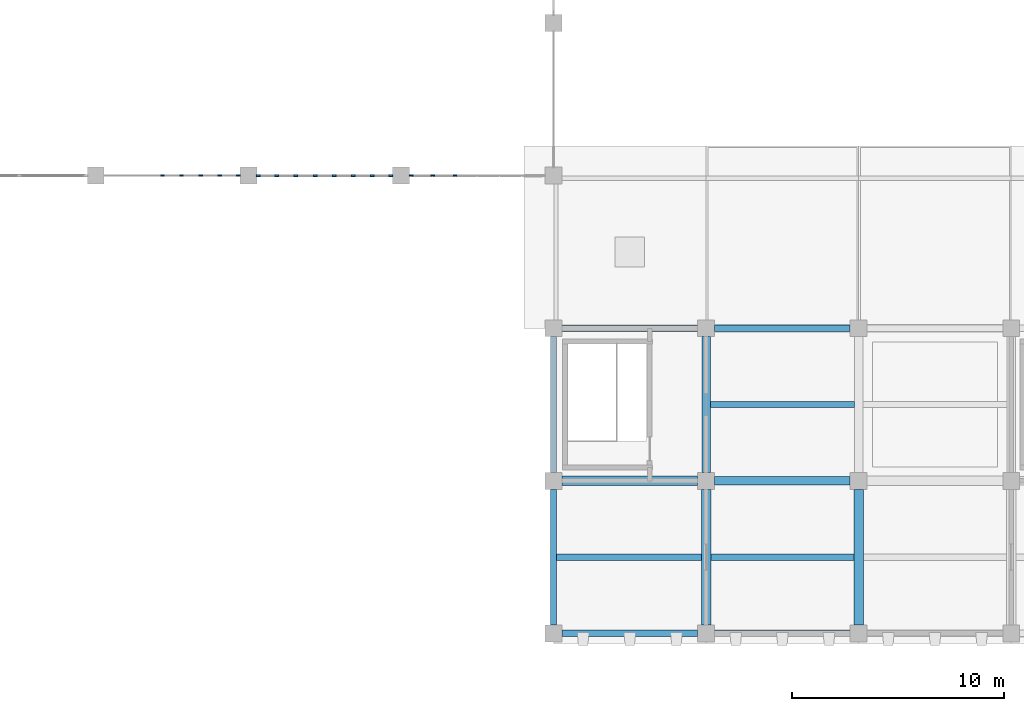
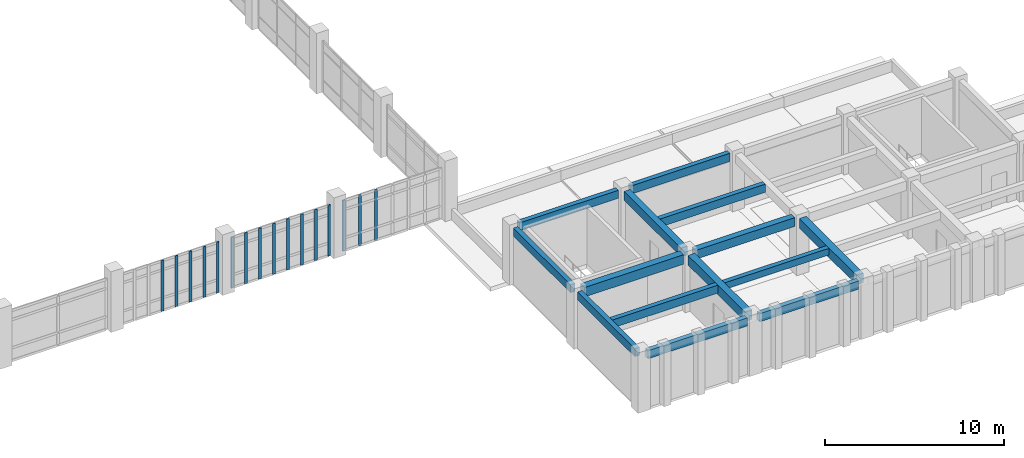
# One storey, part 3 of 62: 16 members, 14 beams, 3 elements without a shape of their own.
"""IFC4 building model written with IfcOpenShell, lengths in metres."""

import ifcopenshell
import ifcopenshell.guid

model = None  # the IFC model being written
_history = None  # IfcOwnerHistory: only IFC2X3 demands one
_inside = {}  # id of a spatial element -> (the spatial element, [elements in it])
_under = {}  # id of a project, library or spatial element -> (it, [spatial elements below it])
_declared = {}  # id of a project -> (the project, [libraries it declares])
_typed = {}  # id of a type object -> (the type object, [elements of that type])
_made_of = {}  # id of a material, layer set ... -> (it, [elements and type objects made of it])


def new_model(schema):
    """Start an empty IFC model of exactly this schema.

    Asked for "IFC4X3", IfcOpenShell would pick the latest addendum, in which some entities
    have other attributes; the version numbers below select the first issue.
    IFC2X3 requires an IfcOwnerHistory on every rooted entity: one is made here for all.
    """
    global model, _history
    if schema == "IFC4X3":
        model = ifcopenshell.file(schema_version=(4, 3, 0, 0))
    else:
        model = ifcopenshell.file(schema=schema)
    _inside.clear()
    _under.clear()
    _declared.clear()
    _typed.clear()
    _made_of.clear()
    _history = None
    if model.schema == "IFC2X3":
        org = make("IfcOrganization", Name="unknown")
        user = make(
            "IfcPersonAndOrganization",
            ThePerson=make("IfcPerson", FamilyName="unknown"),
            TheOrganization=org,
        )
        app = make(
            "IfcApplication",
            ApplicationDeveloper=org,
            Version="unknown",
            ApplicationFullName="unknown",
            ApplicationIdentifier="unknown",
        )
        _history = make(
            "IfcOwnerHistory",
            OwningUser=user,
            OwningApplication=app,
            ChangeAction="ADDED",
            CreationDate=0,
        )
    return model


def make(cls, **values):
    """One entity of the class cls with the attributes given. An attribute that is None is left unset."""
    return model.create_entity(
        cls, **{name: value for name, value in values.items() if value is not None}
    )


def rooted(cls, **values):
    """An entity with a GlobalId (a new one), such as an element, a storey or a relation."""
    return make(cls, GlobalId=ifcopenshell.guid.new(), OwnerHistory=_history, **values)


def si_unit(unit_type, name, prefix=None):
    """IfcSIUnit, for example si_unit("LENGTHUNIT", "METRE", prefix="MILLI")."""
    return make("IfcSIUnit", UnitType=unit_type, Prefix=prefix, Name=name)


def assignment(units):
    """IfcUnitAssignment: the units of a project."""
    return None if units is None else make("IfcUnitAssignment", Units=units)


def point(xyz):
    """IfcCartesianPoint."""
    return None if xyz is None else make("IfcCartesianPoint", Coordinates=xyz)


def direction(xyz):
    """IfcDirection."""
    return None if xyz is None else make("IfcDirection", DirectionRatios=xyz)


def frame(location, z_axis=None, x_axis=None):
    """IfcAxis2Placement3D, a coordinate frame: its origin and axes. An axis left out is left unset."""
    return make(
        "IfcAxis2Placement3D",
        Location=point(location),
        Axis=direction(z_axis),
        RefDirection=direction(x_axis),
    )


def frame_2d(location, x_axis=None):
    """IfcAxis2Placement2D, a coordinate frame in the plane: its origin and x axis."""
    return make(
        "IfcAxis2Placement2D", Location=point(location), RefDirection=direction(x_axis)
    )


def origin():
    """The frame at (0, 0, 0) with its axes left unset."""
    return frame((0.0, 0.0, 0.0))


def origin_2d():
    """The frame at (0, 0) in the plane with its x axis left unset."""
    return frame_2d((0.0, 0.0))


def place(relative_to, where):
    """IfcLocalPlacement: puts the frame where relative to a parent placement (None: the world)."""
    return make(
        "IfcLocalPlacement", PlacementRelTo=relative_to, RelativePlacement=where
    )


def context(
    kind, dimensions, precision=None, world=None, true_north=None, identifier=None
):
    """IfcGeometricRepresentationContext, for example the 3D "Model" context."""
    return make(
        "IfcGeometricRepresentationContext",
        ContextIdentifier=identifier,
        ContextType=kind,
        CoordinateSpaceDimension=dimensions,
        Precision=precision,
        WorldCoordinateSystem=world,
        TrueNorth=true_north,
    )


def subcontext(parent, identifier, kind, view, scale=None):
    """IfcGeometricRepresentationSubContext, for example "Body" below "Model"."""
    return make(
        "IfcGeometricRepresentationSubContext",
        ContextIdentifier=identifier,
        ContextType=kind,
        ParentContext=parent,
        TargetScale=scale,
        TargetView=view,
    )


def project(units=None, contexts=None):
    """IfcProject with its units and contexts."""
    return rooted(
        "IfcProject",
        Name="project",
        RepresentationContexts=contexts,
        UnitsInContext=assignment(units),
    )


def spatial(cls, under=None, at=None, **own):
    """A site, building, storey or space (cls), placed at a placement, below another one or the project."""
    s = rooted(cls, ObjectPlacement=at, **own)
    if under is not None:
        _under.setdefault(under.id(), (under, []))[1].append(s)
    return s


def profile(cls, at=None, kind="AREA", **sizes):
    """A parametric profile (cls). Its sizes go by their IFC names, for example OverallWidth=200.0."""
    return make(cls, ProfileType=kind, Position=at, **sizes)


def rectangle(**sizes):
    """IfcRectangleProfileDef."""
    return profile("IfcRectangleProfileDef", **sizes)


def extrude(swept, where, along, depth):
    """IfcExtrudedAreaSolid: the profile swept, set in the frame where, extruded along a direction by depth."""
    return make(
        "IfcExtrudedAreaSolid",
        SweptArea=swept,
        Position=where,
        ExtrudedDirection=direction(along),
        Depth=depth,
    )


def shape(context_of_items, identifier, shape_type, items):
    """IfcShapeRepresentation: the items that make up one representation, for example the "Body"."""
    return make(
        "IfcShapeRepresentation",
        ContextOfItems=context_of_items,
        RepresentationIdentifier=identifier,
        RepresentationType=shape_type,
        Items=items,
    )


def material(Name=None, Category=None):
    """IfcMaterial."""
    return make("IfcMaterial", Name=Name, Category=Category)


def layer(
    of_material, thickness, ventilated=None, Name=None, Category=None, Priority=None
):
    """IfcMaterialLayer: one layer of a wall or slab, of a material (None: an air gap)."""
    return make(
        "IfcMaterialLayer",
        Material=of_material,
        LayerThickness=thickness,
        IsVentilated=ventilated,
        Name=Name,
        Category=Category,
        Priority=Priority,
    )


def layer_set(layers, Name=None):
    """IfcMaterialLayerSet."""
    return make("IfcMaterialLayerSet", MaterialLayers=layers, LayerSetName=Name)


def material_profile(
    of_material, cross_section, Name=None, Category=None, Priority=None
):
    """IfcMaterialProfile: a cross section and its material."""
    return make(
        "IfcMaterialProfile",
        Name=Name,
        Material=of_material,
        Profile=cross_section,
        Priority=Priority,
        Category=Category,
    )


def profile_set(profiles, Name=None, composite=None):
    """IfcMaterialProfileSet."""
    return make(
        "IfcMaterialProfileSet",
        Name=Name,
        MaterialProfiles=profiles,
        CompositeProfile=composite,
    )


def made_of(thing, what):
    """Note that an element or type object is made of a material, layer set ...; save() writes the relation."""
    if what is not None:
        _made_of.setdefault(what.id(), (what, []))[1].append(thing)
    return thing


def type_object(cls, material=None, **own):
    """A type object (cls), such as IfcWallType, which elements share."""
    return made_of(rooted(cls, **own), material)


def element(
    cls,
    number,
    at=None,
    inside=None,
    cuts=None,
    type_object=None,
    material=None,
    context=None,
    identifier="Body",
    shape_type=None,
    held_by="IfcProductDefinitionShape",
    body=None,
    shapes=None,
    **own,
):
    """One element of the class cls, such as IfcWall. Its Tag is "e" and its number.

    at: its placement. inside: the storey or other place that contains it. cuts: it is an
    opening in that element (IfcRelVoidsElement). A single representation is given by context,
    identifier, shape_type and body (its items); several are given by shapes. held_by: the class
    of the entity that holds the representations. save() writes the other relations.
    """
    e = rooted(cls, Tag="e%d" % number, ObjectPlacement=at, **own)
    if body is not None:
        shapes = [shape(context, identifier, shape_type, body)]
    if shapes is not None:
        e.Representation = make(held_by, Representations=shapes)
    if inside is not None:
        _inside.setdefault(inside.id(), (inside, []))[1].append(e)
    if cuts is not None:
        rooted(
            "IfcRelVoidsElement", RelatingBuildingElement=cuts, RelatedOpeningElement=e
        )
    if type_object is not None:
        _typed.setdefault(type_object.id(), (type_object, []))[1].append(e)
    return made_of(e, material)


def aggregate(whole, parts):
    """IfcRelAggregates: a whole, such as a stair, and the parts it consists of."""
    return rooted("IfcRelAggregates", RelatingObject=whole, RelatedObjects=parts)


def save(model, path):
    """Write the relations noted so far, then the file.

    IfcRelAggregates (storeys below a building ...), IfcRelContainedInSpatialStructure (elements
    in a storey), IfcRelDefinesByType, IfcRelAssociatesMaterial and IfcRelDeclares: one each for
    every whole, place, type object, material and project.
    """
    for whole, parts in _under.values():
        aggregate(whole, parts)
    for where, things in _inside.values():
        rooted(
            "IfcRelContainedInSpatialStructure",
            RelatedElements=things,
            RelatingStructure=where,
        )
    for kind, things in _typed.values():
        rooted("IfcRelDefinesByType", RelatedObjects=things, RelatingType=kind)
    for what, things in _made_of.values():
        rooted("IfcRelAssociatesMaterial", RelatedObjects=things, RelatingMaterial=what)
    for by, libraries in _declared.values():
        rooted("IfcRelDeclares", RelatingContext=by, RelatedDefinitions=libraries)
    model.write(path)


model = new_model("IFC4")

# Units and contexts
model_context = context("Model", 3, precision=1e-05, world=origin(), true_north=direction((0.0, 1.0)))
body_context = subcontext(model_context, "Body", "Model", "MODEL_VIEW")
ifc_project = project(units=[si_unit("LENGTHUNIT", "METRE"), si_unit("AREAUNIT", "SQUARE_METRE"), si_unit("VOLUMEUNIT", "CUBIC_METRE"), si_unit("PLANEANGLEUNIT", "RADIAN"), si_unit("MASSUNIT", "GRAM", prefix="KILO")], contexts=[model_context])

# Site, building, storey
site_placement = place(None, origin())
site = spatial("IfcSite", under=ifc_project, at=site_placement, CompositionType="ELEMENT")
building_placement = place(site_placement, origin())
building = spatial("IfcBuilding", under=site, at=building_placement, Name="Kavelor Marine Aquarium", CompositionType="ELEMENT")
storey_placement = place(building_placement, frame((0.0, 0.0, 13.5)))
storey = spatial("IfcBuildingStorey", under=building, at=storey_placement, Name="L03", CompositionType="ELEMENT", Elevation=13.5)

# Beams
ifc_material_1 = material(Name="Concrete C40/50", Category="concrete")
ifc_material_profile_1 = material_profile(ifc_material_1, rectangle(XDim=0.449951171875, YDim=0.64990234375, at=origin_2d()), Name="RC-BM 450x650")
ifc_profile_set_1 = profile_set([ifc_material_profile_1], Name="Concrete C40/50")
beam_type_1 = type_object("IfcBeamType", Name="BM-B3", PredefinedType="BEAM", material=ifc_profile_set_1)
beam_1_placement = place(storey_placement, frame((39.60009765625, 10.0, 3.534912109375), z_axis=(1.0, 0.0, 0.0), x_axis=(0.0, 1.0, 0.0)))
element("IfcBeam", 1, at=beam_1_placement, inside=storey, type_object=beam_type_1, Name="bm:x:L03:L04:05_01", PredefinedType="BEAM", context=body_context, shape_type="SweptSolid", body=[
    extrude(rectangle(XDim=0.449951171875, YDim=0.64990234375, at=origin_2d()), origin(), (0.0, 0.0, 1.0), 6.39990234375),
])
for number, where, z_axis, x_axis, name in (
    (2, (46.39990234375, 3.199951171875, 3.534912109375), (0.0, 1.0, 0.0), (-1.0, 0.0, 0.0), "bm:y:L03:L04:06_00"),
    (3, (53.60009765625, 3.199951171875, 3.534912109375), (0.0, 1.0, 0.0), (-1.0, 0.0, 0.0), "bm:y:L03:L04:07_00"),
):
    element("IfcBeam", number, at=place(storey_placement, frame(where, z_axis=z_axis, x_axis=x_axis)), inside=storey, type_object=beam_type_1, Name=name, PredefinedType="BEAM", context=body_context, shape_type="SweptSolid", body=[
        extrude(rectangle(XDim=0.449951171875, YDim=0.64990234375, at=origin_2d()), origin(), (0.0, 0.0, 1.0), 6.400146484375),
    ])
ifc_material_2 = material(Name="Concrete C40/50", Category="concrete")
ifc_material_profile_2 = material_profile(ifc_material_2, rectangle(XDim=0.39990234375, YDim=0.60009765625, at=origin_2d()), Name="RC-BM 400x600")
ifc_profile_set_2 = profile_set([ifc_material_profile_2], Name="Concrete C40/50")
beam_type_2 = type_object("IfcBeamType", Name="BM-B4", PredefinedType="BEAM", material=ifc_profile_set_2)
beam_2_placement = place(storey_placement, frame((46.800048828125, 10.0, 3.56005859375), z_axis=(1.0, 0.0, 0.0), x_axis=(0.0, 1.0, 0.0)))
element("IfcBeam", 4, at=beam_2_placement, inside=storey, type_object=beam_type_2, Name="bm:x:L03:L04:06_01", PredefinedType="BEAM", context=body_context, shape_type="SweptSolid", body=[
    extrude(rectangle(XDim=0.39990234375, YDim=0.60009765625, at=origin_2d()), origin(), (0.0, 0.0, 1.0), 6.39990234375),
])
beam_3_placement = place(storey_placement, frame((46.39990234375, 10.39990234375, 3.56005859375), z_axis=(0.0, 1.0, 0.0), x_axis=(-1.0, 0.0, 0.0)))
element("IfcBeam", 5, at=beam_3_placement, inside=storey, type_object=beam_type_2, Name="bm:y:L03:L04:06_01", PredefinedType="BEAM", context=body_context, shape_type="SweptSolid", body=[
    extrude(rectangle(XDim=0.39990234375, YDim=0.60009765625, at=origin_2d()), origin(), (0.0, 0.0, 1.0), 6.400146484375),
])
ifc_material_3 = material(Name="Concrete C40/50", Category="concrete")
ifc_material_profile_3 = material_profile(ifc_material_3, rectangle(XDim=0.300048828125, YDim=0.449951171875, at=origin_2d()), Name="RC-JS 300x450")
ifc_profile_set_3 = profile_set([ifc_material_profile_3], Name="Concrete C40/50")
beam_type_3 = type_object("IfcBeamType", Name="BM-JS1", PredefinedType="JOIST", material=ifc_profile_set_3)
beam_4_placement = place(storey_placement, frame((46.625, 6.39990234375, 3.635009765625), z_axis=(1.0, 0.0, 0.0), x_axis=(0.0, 1.0, 0.0)))
element("IfcBeam", 6, at=beam_4_placement, inside=storey, type_object=beam_type_3, Name="js:L03:L04:06_00", PredefinedType="JOIST", context=body_context, shape_type="SweptSolid", body=[
    extrude(rectangle(XDim=0.300048828125, YDim=0.449951171875, at=origin_2d()), origin(), (0.0, 0.0, 1.0), 6.75),
])
ifc_material_4 = material(Name="Concrete C40/50", Category="concrete")
ifc_material_profile_4 = material_profile(ifc_material_4, rectangle(XDim=0.300048828125, YDim=0.550048828125, at=origin_2d()), Name="RC-JS 300x550")
ifc_profile_set_4 = profile_set([ifc_material_profile_4], Name="Concrete C40/50")
beam_type_4 = type_object("IfcBeamType", Name="BM-JS2", PredefinedType="JOIST", material=ifc_profile_set_4)
beam_5_placement = place(storey_placement, frame((39.35009765625, 6.39990234375, 3.5849609375), z_axis=(1.0, 0.0, 0.0), x_axis=(0.0, 1.0, 0.0)))
element("IfcBeam", 7, at=beam_5_placement, inside=storey, type_object=beam_type_4, Name="js:L03:L04:05_00", PredefinedType="JOIST", context=body_context, shape_type="SweptSolid", body=[
    extrude(rectangle(XDim=0.300048828125, YDim=0.550048828125, at=origin_2d()), origin(), (0.0, 0.0, 1.0), 6.824951171875),
])
beam_6_placement = place(storey_placement, frame((46.60009765625, 13.60009765625, 3.5849609375), z_axis=(1.0, 0.0, 0.0), x_axis=(0.0, 1.0, 0.0)))
element("IfcBeam", 8, at=beam_6_placement, inside=storey, type_object=beam_type_4, Name="js:L03:L04:06_01", PredefinedType="JOIST", context=body_context, shape_type="SweptSolid", body=[
    extrude(rectangle(XDim=0.300048828125, YDim=0.550048828125, at=origin_2d()), origin(), (0.0, 0.0, 1.0), 6.7998046875),
])
ifc_material_5 = material(Name="Concrete C40/50", Category="concrete")
ifc_material_profile_5 = material_profile(ifc_material_5, rectangle(XDim=0.300048828125, YDim=0.550048828125, at=origin_2d()), Name="RC-SP 300x550")
ifc_profile_set_5 = profile_set([ifc_material_profile_5], Name="Concrete C40/50")
beam_type_5 = type_object("IfcBeamType", Name="BM-SP2", PredefinedType="SPANDREL", material=ifc_profile_set_5)
for number, where, z_axis, x_axis, name in (
    (9, (39.60009765625, 2.800048828125, 3.5849609375), (1.0, 0.0, 0.0), (0.0, 1.0, 0.0), "bm:x:L03:L04:05_00"),
    (10, (39.60009765625, 17.199951171875, 3.5849609375), (1.0, 0.0, 0.0), (0.0, 1.0, 0.0), "bm:x:L03:L04:05_02"),
    (11, (46.800048828125, 2.800048828125, 3.5849609375), (1.0, 0.0, 0.0), (0.0, 1.0, 0.0), "bm:x:L03:L04:06_00"),
    (12, (46.800048828125, 17.199951171875, 3.5849609375), (1.0, 0.0, 0.0), (0.0, 1.0, 0.0), "bm:x:L03:L04:06_02"),
):
    element("IfcBeam", number, at=place(storey_placement, frame(where, z_axis=z_axis, x_axis=x_axis)), inside=storey, type_object=beam_type_5, Name=name, PredefinedType="SPANDREL", context=body_context, shape_type="SweptSolid", body=[
        extrude(rectangle(XDim=0.300048828125, YDim=0.550048828125, at=origin_2d()), origin(), (0.0, 0.0, 1.0), 6.39990234375),
    ])
for number, where, z_axis, x_axis, name in (
    (13, (39.199951171875, 3.199951171875, 3.5849609375), (0.0, 1.0, 0.0), (-1.0, 0.0, 0.0), "bm:y:L03:L04:05_00"),
    (14, (39.199951171875, 10.39990234375, 3.5849609375), (0.0, 1.0, 0.0), (-1.0, 0.0, 0.0), "bm:y:L03:L04:05_01"),
):
    element("IfcBeam", number, at=place(storey_placement, frame(where, z_axis=z_axis, x_axis=x_axis)), inside=storey, type_object=beam_type_5, Name=name, PredefinedType="SPANDREL", context=body_context, shape_type="SweptSolid", body=[
        extrude(rectangle(XDim=0.300048828125, YDim=0.550048828125, at=origin_2d()), origin(), (0.0, 0.0, 1.0), 6.400146484375),
    ])

# Curtain wall, members
ifc_material_6 = material(Name="Thermally Broken Aluminium and Low-E Glass", Category="aluminium")
ifc_layer_1 = layer(ifc_material_6, 0.14794921875)
ifc_layer_set_1 = layer_set([ifc_layer_1], Name="CW-SYS1")
curtain_wall_type_1 = type_object("IfcCurtainWallType", Name="CW-SYS1", PredefinedType="USERDEFINED", material=ifc_layer_set_1)
curtain_wall_1_placement = place(storey_placement, origin())
curtain_wall_1 = element("IfcCurtainWall", 15, at=curtain_wall_1_placement, inside=storey, type_object=curtain_wall_type_1, Name="cw:x:L03:02_03", ObjectType="Curtain Wall", PredefinedType="USERDEFINED")
ifc_material_7 = material(Name="Anodised Aluminium Alloy 6063-T6", Category="aluminium")
ifc_material_profile_6 = material_profile(ifc_material_7, rectangle(XDim=0.074951171875, YDim=0.179931640625, at=origin_2d()), Name="CW-MUL 75x180")
ifc_profile_set_6 = profile_set([ifc_material_profile_6], Name="Anodised Aluminium Alloy 6063-T6")
member_type_1 = type_object("IfcMemberType", Name="CWM-1", PredefinedType="MULLION", material=ifc_profile_set_6)
member_1_placement = place(storey_placement, frame((24.3173828125, 24.39990234375, 0.0), z_axis=(0.0, 0.0, 1.0), x_axis=(0.0, -1.0, 0.0)))
member_1 = element("IfcMember", 16, at=member_1_placement, type_object=member_type_1, Name="CW01 mullion 1", PredefinedType="MULLION", context=body_context, shape_type="SweptSolid", body=[
    extrude(rectangle(XDim=0.074951171875, YDim=0.179931640625, at=origin_2d()), origin(), (0.0, 0.0, 1.0), 3.47998046875),
])
member_2_placement = place(storey_placement, frame((23.45361328125, 24.39990234375, 0.0), z_axis=(0.0, 0.0, 1.0), x_axis=(0.0, -1.0, 0.0)))
member_2 = element("IfcMember", 17, at=member_2_placement, type_object=member_type_1, Name="CW01 mullion 2", PredefinedType="MULLION", context=body_context, shape_type="SweptSolid", body=[
    extrude(rectangle(XDim=0.074951171875, YDim=0.179931640625, at=origin_2d()), origin(), (0.0, 0.0, 1.0), 3.47998046875),
])
member_3_placement = place(storey_placement, frame((22.55224609375, 24.39990234375, 0.0), z_axis=(0.0, 0.0, 1.0), x_axis=(0.0, -1.0, 0.0)))
member_3 = element("IfcMember", 18, at=member_3_placement, type_object=member_type_1, Name="CW01 mullion 3", PredefinedType="MULLION", context=body_context, shape_type="SweptSolid", body=[
    extrude(rectangle(XDim=0.074951171875, YDim=0.179931640625, at=origin_2d()), origin(), (0.0, 0.0, 1.0), 3.47998046875),
])
member_4_placement = place(storey_placement, frame((21.650634765625, 24.39990234375, 0.0), z_axis=(0.0, 0.0, 1.0), x_axis=(0.0, -1.0, 0.0)))
member_4 = element("IfcMember", 19, at=member_4_placement, type_object=member_type_1, Name="CW01 mullion 4", PredefinedType="MULLION", context=body_context, shape_type="SweptSolid", body=[
    extrude(rectangle(XDim=0.074951171875, YDim=0.179931640625, at=origin_2d()), origin(), (0.0, 0.0, 1.0), 3.47998046875),
])
member_5_placement = place(storey_placement, frame((20.749267578125, 24.39990234375, 0.0), z_axis=(0.0, 0.0, 1.0), x_axis=(0.0, -1.0, 0.0)))
member_5 = element("IfcMember", 20, at=member_5_placement, type_object=member_type_1, Name="CW01 mullion 5", PredefinedType="MULLION", context=body_context, shape_type="SweptSolid", body=[
    extrude(rectangle(XDim=0.074951171875, YDim=0.179931640625, at=origin_2d()), origin(), (0.0, 0.0, 1.0), 3.47998046875),
])
aggregate(curtain_wall_1, [member_1, member_2, member_3, member_4, member_5])

ifc_material_8 = material(Name="Thermally Broken Aluminium and Low-E Glass", Category="aluminium")
ifc_layer_2 = layer(ifc_material_8, 0.172119140625)
ifc_layer_set_2 = layer_set([ifc_layer_2], Name="CW-SYS4")
curtain_wall_type_2 = type_object("IfcCurtainWallType", Name="CW-SYS4", PredefinedType="USERDEFINED", material=ifc_layer_set_2)
curtain_wall_2_placement = place(storey_placement, origin())
curtain_wall_2 = element("IfcCurtainWall", 21, at=curtain_wall_2_placement, inside=storey, type_object=curtain_wall_type_2, Name="cw:x:L03:04_03", ObjectType="Curtain Wall", PredefinedType="USERDEFINED")
member_6_placement = place(storey_placement, frame((34.54833984375, 24.39990234375, 0.0), z_axis=(0.0, 0.0, 1.0), x_axis=(0.0, -1.0, 0.0)))
member_6 = element("IfcMember", 22, at=member_6_placement, type_object=member_type_1, Name="CW04 mullion 5", PredefinedType="MULLION", context=body_context, shape_type="SweptSolid", body=[
    extrude(rectangle(XDim=0.074951171875, YDim=0.179931640625, at=origin_2d()), origin(), (0.0, 0.0, 1.0), 3.47998046875),
])
member_7_placement = place(storey_placement, frame((33.49658203125, 24.39990234375, 0.0), z_axis=(0.0, 0.0, 1.0), x_axis=(0.0, -1.0, 0.0)))
member_7 = element("IfcMember", 23, at=member_7_placement, type_object=member_type_1, Name="CW04 mullion 6", PredefinedType="MULLION", context=body_context, shape_type="SweptSolid", body=[
    extrude(rectangle(XDim=0.074951171875, YDim=0.179931640625, at=origin_2d()), origin(), (0.0, 0.0, 1.0), 3.47998046875),
])
member_8_placement = place(storey_placement, frame((32.482421875, 24.39990234375, 0.0), z_axis=(0.0, 0.0, 1.0), x_axis=(0.0, -1.0, 0.0)))
member_8 = element("IfcMember", 24, at=member_8_placement, type_object=member_type_1, Name="CW04 mullion 7", PredefinedType="MULLION", context=body_context, shape_type="SweptSolid", body=[
    extrude(rectangle(XDim=0.074951171875, YDim=0.179931640625, at=origin_2d()), origin(), (0.0, 0.0, 1.0), 3.47998046875),
])
aggregate(curtain_wall_2, [member_6, member_7, member_8])

ifc_material_9 = material(Name="Thermally Broken Aluminium and Low-E Glass", Category="aluminium")
ifc_layer_3 = layer(ifc_material_9, 0.156005859375)
ifc_layer_set_3 = layer_set([ifc_layer_3], Name="CW-SYS2")
curtain_wall_type_3 = type_object("IfcCurtainWallType", Name="CW-SYS2", PredefinedType="USERDEFINED", material=ifc_layer_set_3)
curtain_wall_3_placement = place(storey_placement, origin())
curtain_wall_3 = element("IfcCurtainWall", 25, at=curtain_wall_3_placement, inside=storey, type_object=curtain_wall_type_3, Name="cw:x:L03:03_03", ObjectType="Curtain Wall", PredefinedType="USERDEFINED")
ifc_material_10 = material(Name="Anodised Aluminium Alloy 6063-T6", Category="aluminium")
ifc_material_profile_7 = material_profile(ifc_material_10, rectangle(XDim=0.080078125, YDim=0.18505859375, at=origin_2d()), Name="CW-MUL 80x185")
ifc_profile_set_7 = profile_set([ifc_material_profile_7], Name="Anodised Aluminium Alloy 6063-T6")
member_type_2 = type_object("IfcMemberType", Name="CWM-2", PredefinedType="MULLION", material=ifc_profile_set_7)
member_9_placement = place(storey_placement, frame((31.5224609375, 24.39990234375, 0.0), z_axis=(0.0, 0.0, 1.0), x_axis=(0.0, -1.0, 0.0)))
member_9 = element("IfcMember", 26, at=member_9_placement, type_object=member_type_2, Name="CW02 mullion 1", PredefinedType="MULLION", context=body_context, shape_type="SweptSolid", body=[
    extrude(rectangle(XDim=0.080078125, YDim=0.18505859375, at=origin_2d()), origin(), (0.0, 0.0, 1.0), 3.47998046875),
])
member_10_placement = place(storey_placement, frame((30.653564453125, 24.39990234375, 0.0), z_axis=(0.0, 0.0, 1.0), x_axis=(0.0, -1.0, 0.0)))
member_10 = element("IfcMember", 27, at=member_10_placement, type_object=member_type_2, Name="CW02 mullion 2", PredefinedType="MULLION", context=body_context, shape_type="SweptSolid", body=[
    extrude(rectangle(XDim=0.080078125, YDim=0.18505859375, at=origin_2d()), origin(), (0.0, 0.0, 1.0), 3.47998046875),
])
member_11_placement = place(storey_placement, frame((29.752197265625, 24.39990234375, 0.0), z_axis=(0.0, 0.0, 1.0), x_axis=(0.0, -1.0, 0.0)))
member_11 = element("IfcMember", 28, at=member_11_placement, type_object=member_type_2, Name="CW02 mullion 3", PredefinedType="MULLION", context=body_context, shape_type="SweptSolid", body=[
    extrude(rectangle(XDim=0.080078125, YDim=0.18505859375, at=origin_2d()), origin(), (0.0, 0.0, 1.0), 3.47998046875),
])
member_12_placement = place(storey_placement, frame((28.850830078125, 24.39990234375, 0.0), z_axis=(0.0, 0.0, 1.0), x_axis=(0.0, -1.0, 0.0)))
member_12 = element("IfcMember", 29, at=member_12_placement, type_object=member_type_2, Name="CW02 mullion 4", PredefinedType="MULLION", context=body_context, shape_type="SweptSolid", body=[
    extrude(rectangle(XDim=0.080078125, YDim=0.18505859375, at=origin_2d()), origin(), (0.0, 0.0, 1.0), 3.47998046875),
])
member_13_placement = place(storey_placement, frame((27.94921875, 24.39990234375, 0.0), z_axis=(0.0, 0.0, 1.0), x_axis=(0.0, -1.0, 0.0)))
member_13 = element("IfcMember", 30, at=member_13_placement, type_object=member_type_2, Name="CW02 mullion 5", PredefinedType="MULLION", context=body_context, shape_type="SweptSolid", body=[
    extrude(rectangle(XDim=0.080078125, YDim=0.18505859375, at=origin_2d()), origin(), (0.0, 0.0, 1.0), 3.47998046875),
])
member_14_placement = place(storey_placement, frame((27.0478515625, 24.39990234375, 0.0), z_axis=(0.0, 0.0, 1.0), x_axis=(0.0, -1.0, 0.0)))
member_14 = element("IfcMember", 31, at=member_14_placement, type_object=member_type_2, Name="CW02 mullion 6", PredefinedType="MULLION", context=body_context, shape_type="SweptSolid", body=[
    extrude(rectangle(XDim=0.080078125, YDim=0.18505859375, at=origin_2d()), origin(), (0.0, 0.0, 1.0), 3.47998046875),
])
member_15_placement = place(storey_placement, frame((26.146484375, 24.39990234375, 0.0), z_axis=(0.0, 0.0, 1.0), x_axis=(0.0, -1.0, 0.0)))
member_15 = element("IfcMember", 32, at=member_15_placement, type_object=member_type_2, Name="CW02 mullion 7", PredefinedType="MULLION", context=body_context, shape_type="SweptSolid", body=[
    extrude(rectangle(XDim=0.080078125, YDim=0.18505859375, at=origin_2d()), origin(), (0.0, 0.0, 1.0), 3.47998046875),
])
member_16_placement = place(storey_placement, frame((25.277587890625, 24.39990234375, 0.0), z_axis=(0.0, 0.0, 1.0), x_axis=(0.0, -1.0, 0.0)))
member_16 = element("IfcMember", 33, at=member_16_placement, type_object=member_type_2, Name="CW02 mullion 8", PredefinedType="MULLION", context=body_context, shape_type="SweptSolid", body=[
    extrude(rectangle(XDim=0.080078125, YDim=0.18505859375, at=origin_2d()), origin(), (0.0, 0.0, 1.0), 3.47998046875),
])
aggregate(curtain_wall_3, [member_9, member_10, member_11, member_12, member_13, member_14, member_15, member_16])

save(model, "model.ifc")
